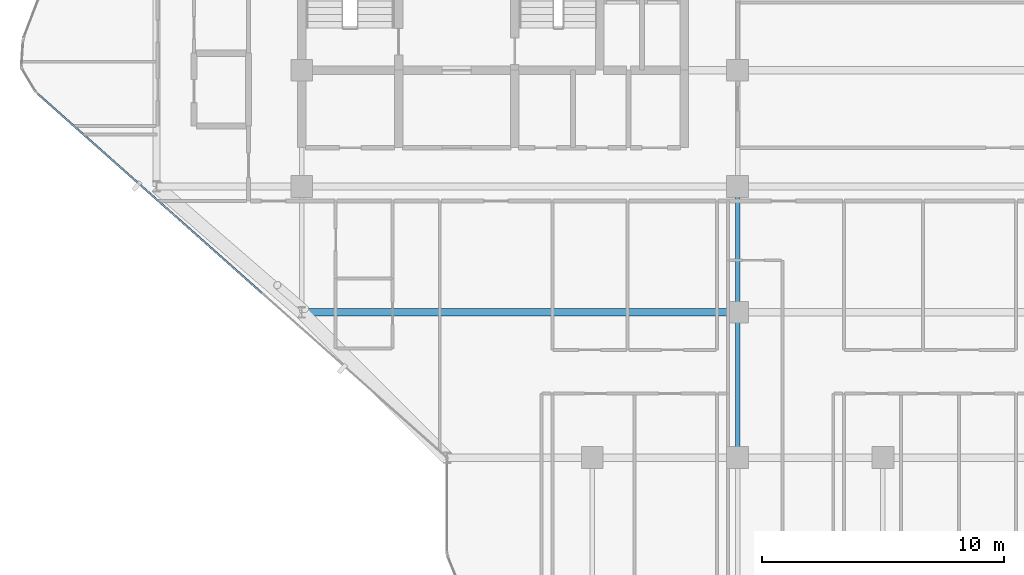
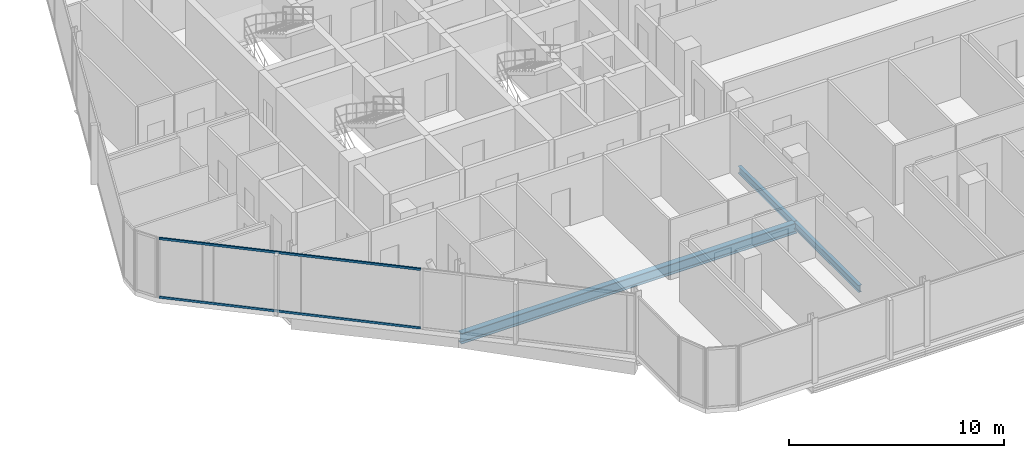
# One storey, part 7 of 29: 3 beams, 2 members, 1 element without a shape of its own.
"""IFC4 building model written with IfcOpenShell, lengths in metres."""

from ifc_helpers import new_model, si_unit, direction, frame, origin, origin_2d, place, context, subcontext, project, spatial, hollow_rectangle, i_section, extrude, material, layer, layer_set, material_profile, profile_set, type_object, element, aggregate, save


model = new_model("IFC4")

# Units and contexts
model_context = context("Model", 3, precision=1e-05, world=origin(), true_north=direction((0.0, 1.0)))
body_context = subcontext(model_context, "Body", "Model", "MODEL_VIEW")
ifc_project = project(units=[si_unit("LENGTHUNIT", "METRE"), si_unit("AREAUNIT", "SQUARE_METRE"), si_unit("VOLUMEUNIT", "CUBIC_METRE"), si_unit("PLANEANGLEUNIT", "RADIAN"), si_unit("MASSUNIT", "GRAM", prefix="KILO")], contexts=[model_context])

# Site, building, storey
site_placement = place(None, origin())
site = spatial("IfcSite", under=ifc_project, at=site_placement, CompositionType="ELEMENT")
building_placement = place(site_placement, origin())
building = spatial("IfcBuilding", under=site, at=building_placement, Name="Keshet Zoharim Tower", CompositionType="ELEMENT")
storey_placement = place(building_placement, frame((0.0, 0.0, 172.800048828125)))
storey = spatial("IfcBuildingStorey", under=building, at=storey_placement, Name="L42", CompositionType="ELEMENT", Elevation=172.800048828125)

# Beams
ifc_material_1 = material(Name="Steel S355", Category="steel")
ifc_material_profile_1 = material_profile(ifc_material_1, i_section(OverallWidth=0.300048828125, OverallDepth=0.60009765625, WebThickness=0.015380859375, FlangeThickness=0.030029296875, FilletRadius=0.027099609375, at=origin_2d()), Name="HEB600")
ifc_profile_set_1 = profile_set([ifc_material_profile_1], Name="Steel S355")
beam_type_1 = type_object("IfcBeamType", Name="BM-LNG-HB600", PredefinedType="BEAM", material=ifc_profile_set_1)
beam_1_placement = place(storey_placement, frame((15.0, 12.699951171875, -0.610107421875), z_axis=(1.0, 0.0, 0.0), x_axis=(0.0, 1.0, 0.0)))
element("IfcBeam", 1, at=beam_1_placement, inside=storey, type_object=beam_type_1, Name="L42 Primary Girder X-009", PredefinedType="BEAM", context=body_context, shape_type="SweptSolid", body=[
    extrude(i_section(OverallWidth=0.300048828125, OverallDepth=0.60009765625, WebThickness=0.015380859375, FlangeThickness=0.030029296875, FilletRadius=0.027099609375, at=origin_2d()), origin(), (0.0, 0.0, 1.0), 18.0),
])
ifc_material_profile_2 = material_profile(ifc_material_1, i_section(OverallWidth=0.179931640625, OverallDepth=0.39990234375, WebThickness=0.008544921875, FlangeThickness=0.013427734375, FilletRadius=0.02099609375, at=origin_2d()), Name="IPE400")
ifc_profile_set_2 = profile_set([ifc_material_profile_2], Name="Steel S355")
beam_type_2 = type_object("IfcBeamType", Name="BM-PRI-IP400", PredefinedType="BEAM", material=ifc_profile_set_2)
beam_2_placement = place(storey_placement, frame((33.0, 6.699951171875, -0.510009765625), z_axis=(0.0, 1.0, 0.0), x_axis=(-1.0, 0.0, 0.0)))
element("IfcBeam", 2, at=beam_2_placement, inside=storey, type_object=beam_type_2, Name="L42 Primary Girder Y-006", PredefinedType="BEAM", context=body_context, shape_type="SweptSolid", body=[
    extrude(i_section(OverallWidth=0.179931640625, OverallDepth=0.39990234375, WebThickness=0.008544921875, FlangeThickness=0.013427734375, FilletRadius=0.02099609375, at=origin_2d()), origin(), (0.0, 0.0, 1.0), 6.0),
])
beam_3_placement = place(storey_placement, frame((33.0, 12.699951171875, -0.510009765625), z_axis=(0.0, 1.0, 0.0), x_axis=(-1.0, 0.0, 0.0)))
element("IfcBeam", 3, at=beam_3_placement, inside=storey, type_object=beam_type_2, Name="L42 Primary Girder Y-007", PredefinedType="BEAM", context=body_context, shape_type="SweptSolid", body=[
    extrude(i_section(OverallWidth=0.179931640625, OverallDepth=0.39990234375, WebThickness=0.008544921875, FlangeThickness=0.013427734375, FilletRadius=0.02099609375, at=origin_2d()), origin(), (0.0, 0.0, 1.0), 5.199951171875),
])

# Curtain wall, members
ifc_material_2 = material(Name="Aluminium 6063-T6", Category="aluminium")
ifc_layer = layer(ifc_material_2, 0.139892578125)
ifc_layer_set = layer_set([ifc_layer], Name="Aluminium 6063-T6")
curtain_wall_type = type_object("IfcCurtainWallType", Name="CW-SYS-05", PredefinedType="NOTDEFINED", material=ifc_layer_set)
curtain_wall_placement = place(storey_placement, origin())
curtain_wall = element("IfcCurtainWall", 4, at=curtain_wall_placement, inside=storey, type_object=curtain_wall_type, Name="L42 Unitised Curtain Wall 10 Part 3", PredefinedType="NOTDEFINED")
ifc_material_profile_3 = material_profile(ifc_material_2, hollow_rectangle(XDim=0.074951171875, YDim=0.1201171875, WallThickness=0.00390625, at=origin_2d()), Name="TRN-75x120")
ifc_profile_set_3 = profile_set([ifc_material_profile_3], Name="Aluminium 6063-T6")
member_type = type_object("IfcMemberType", Name="CWT-T12", PredefinedType="USERDEFINED", material=ifc_profile_set_3)
member_1_placement = place(storey_placement, frame((13.3623046875, 13.489013671875, 0.034912109375), z_axis=(-0.747408233231, 0.664365059962, 0.0), x_axis=(-0.664365059962, -0.747408233231, 0.0)))
member_1 = element("IfcMember", 5, at=member_1_placement, type_object=member_type, Name="CW-05 transom 1.1", ObjectType="TRANSOM", PredefinedType="USERDEFINED", context=body_context, shape_type="SweptSolid", body=[
    extrude(hollow_rectangle(XDim=0.074951171875, YDim=0.1201171875, WallThickness=0.00390625, at=origin_2d()), origin(), (0.0, 0.0, 1.0), 12.409423828125),
])
member_2_placement = place(storey_placement, frame((13.3623046875, 13.489013671875, 3.35498046875), z_axis=(-0.747408233231, 0.664365059962, 0.0), x_axis=(-0.664365059962, -0.747408233231, 0.0)))
member_2 = element("IfcMember", 6, at=member_2_placement, type_object=member_type, Name="CW-05 transom 1.2", ObjectType="TRANSOM", PredefinedType="USERDEFINED", context=body_context, shape_type="SweptSolid", body=[
    extrude(hollow_rectangle(XDim=0.074951171875, YDim=0.1201171875, WallThickness=0.00390625, at=origin_2d()), origin(), (0.0, 0.0, 1.0), 12.409423828125),
])
aggregate(curtain_wall, [member_1, member_2])

save(model, "model.ifc")
